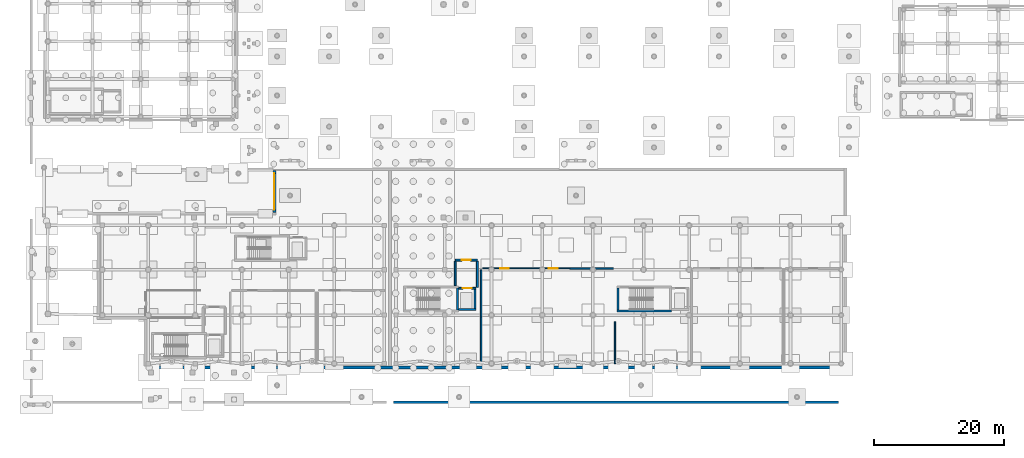
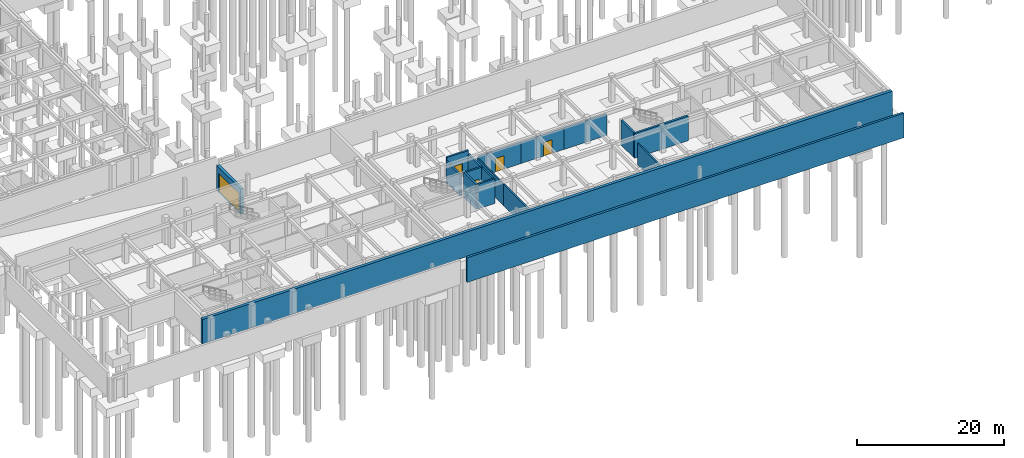
# One storey, part 16 of 22: 18 walls, 5 doors, 5 openings.
"""IFC4 building model written with IfcOpenShell, lengths in metres."""

from ifc_helpers import new_model, si_unit, direction, frame, frame_2d, origin, place, context, subcontext, project, spatial, rectangle, extrude, material, layer, layer_set, type_object, element, fill, save


model = new_model("IFC4")

# Units and contexts
model_context = context("Model", 3, precision=1e-05, world=origin(), true_north=direction((0.0, 1.0)))
body_context = subcontext(model_context, "Body", "Model", "MODEL_VIEW")
ifc_project = project(units=[si_unit("LENGTHUNIT", "METRE"), si_unit("AREAUNIT", "SQUARE_METRE"), si_unit("VOLUMEUNIT", "CUBIC_METRE"), si_unit("PLANEANGLEUNIT", "RADIAN"), si_unit("MASSUNIT", "GRAM", prefix="KILO")], contexts=[model_context])

# Site, building, storey
site_placement = place(None, origin())
site = spatial("IfcSite", under=ifc_project, at=site_placement, CompositionType="ELEMENT")
building_placement = place(site_placement, origin())
building = spatial("IfcBuilding", under=site, at=building_placement, Name="Valcora Specialist Clinic", CompositionType="ELEMENT")
storey_placement = place(building_placement, frame((0.0, 0.0, -4.419921875)))
storey = spatial("IfcBuildingStorey", under=building, at=storey_placement, Name="B1", CompositionType="ELEMENT", Elevation=-4.419921875)

# Wall, opening, door
ifc_material_1 = material(Name="Concrete C40/50", Category="concrete")
ifc_layer_1 = layer(ifc_material_1, 0.284912109375)
ifc_layer_set_1 = layer_set([ifc_layer_1], Name="Concrete C40/50")
wall_type_1 = type_object("IfcWallType", Name="TY-WL-CR285", PredefinedType="SHEAR", material=ifc_layer_set_1)
wall_1_placement = place(storey_placement, frame((63.419921875, 16.659912109375, 0.0), z_axis=(0.0, 0.0, 1.0), x_axis=(1.0, 0.0, 0.0)))
wall_1 = element("IfcWall", 1, at=wall_1_placement, inside=storey, type_object=wall_type_1, Name="Firefighting lobby front wall WL-FFL-LF-07-B1-F", PredefinedType="SHEAR", context=body_context, shape_type="SweptSolid", body=[
    extrude(rectangle(XDim=3.400146484375, YDim=0.284912109375, at=frame_2d((1.7001953125, 0.0))), origin(), (0.0, 0.0, 1.0), 4.08984375),
])
opening_1_placement = place(wall_1_placement, frame((1.0, 0.0, 0.0)))
opening_1 = element("IfcOpeningElement", 2, at=opening_1_placement, cuts=wall_1, Name="Opening DR-FF-140", PredefinedType="OPENING", context=body_context, shape_type="SweptSolid", body=[
    extrude(rectangle(XDim=1.39990234375, YDim=2.25, at=frame_2d((0.699951171875, 1.125))), frame((0.0, 0.15234375, 0.0), z_axis=(0.0, -1.0, 0.0), x_axis=(1.0, 0.0, 0.0)), (0.0, 0.0, 1.0), 0.304931640625),
])
ifc_material_2 = material(Name="Galvanized Hollow Metal Door Steel ASTM A653", Category="steel")
door_type_1 = type_object("IfcDoorType", Name="TY-DR-FF140", OperationType="NOTDEFINED", PredefinedType="DOOR", material=ifc_material_2)
door_1_placement = place(opening_1_placement, origin())
door_1 = element("IfcDoor", 3, at=door_1_placement, inside=storey, type_object=door_type_1, Name="Firefighting lobby fire door LF-07 B1", OperationType="SINGLE_SWING_RIGHT", OverallHeight=2.25, OverallWidth=1.39990234375, PredefinedType="DOOR", context=body_context, shape_type="SweptSolid", body=[
    extrude(rectangle(XDim=1.39990234375, YDim=2.25, at=frame_2d((0.699951171875, 1.125))), frame((0.0, 0.02490234375, 0.0), z_axis=(0.0, -1.0, 0.0), x_axis=(1.0, 0.0, 0.0)), (0.0, 0.0, 1.0), 0.050048828125),
])
fill(opening_1, door_1)

# Walls
wall_2_placement = place(storey_placement, frame((63.419921875, 12.739990234375, 0.0), z_axis=(0.0, 0.0, 1.0), x_axis=(0.0, 1.0, 0.0)))
element("IfcWall", 4, at=wall_2_placement, inside=storey, type_object=wall_type_1, Name="Firefighting lobby west wall", PredefinedType="SHEAR", context=body_context, shape_type="SweptSolid", body=[
    extrude(rectangle(XDim=3.77001953125, YDim=0.284912109375, at=frame_2d((1.885009765625, 0.0))), origin(), (0.0, 0.0, 1.0), 3.5400390625),
])
wall_3_placement = place(storey_placement, frame((66.820068359375, 12.47998046875, 0.0), z_axis=(0.0, 0.0, 1.0), x_axis=(0.0, 1.0, 0.0)))
element("IfcWall", 5, at=wall_3_placement, inside=storey, type_object=wall_type_1, Name="Firefighting lobby east wall", PredefinedType="SHEAR", context=body_context, shape_type="SweptSolid", body=[
    extrude(rectangle(XDim=4.030029296875, YDim=0.284912109375, at=frame_2d((2.01513671875, 0.0))), origin(), (0.0, 0.0, 1.0), 3.5400390625),
])
ifc_layer_2 = layer(ifc_material_1, 0.320068359375)
ifc_layer_set_2 = layer_set([ifc_layer_2], Name="Concrete C40/50")
wall_type_2 = type_object("IfcWallType", Name="TY-WL-CR320", PredefinedType="SHEAR", material=ifc_layer_set_2)
wall_4_placement = place(storey_placement, frame((63.760009765625, 9.001953125, 0.0), z_axis=(0.0, 0.0, 1.0), x_axis=(0.0, 1.0, 0.0)))
element("IfcWall", 6, at=wall_4_placement, inside=storey, type_object=wall_type_2, Name="Core shear wall WL-CR-C-V6A-B1-E", PredefinedType="SHEAR", context=body_context, shape_type="SweptSolid", body=[
    extrude(rectangle(XDim=3.39599609375, YDim=0.320068359375, at=frame_2d((1.697998046875, 0.0))), origin(), (0.0, 0.0, 1.0), 4.08984375),
])
wall_5_placement = place(storey_placement, frame((88.280029296875, 8.840087890625, 0.0), z_axis=(0.0, 0.0, 1.0), x_axis=(1.0, 0.0, 0.0)))
element("IfcWall", 7, at=wall_5_placement, inside=storey, type_object=wall_type_2, Name="Core shear wall WL-CR-C-V6B-B1-S", PredefinedType="SHEAR", context=body_context, shape_type="SweptSolid", body=[
    extrude(rectangle(XDim=8.43994140625, YDim=0.320068359375, at=frame_2d((4.219970703125, 0.0))), origin(), (0.0, 0.0, 1.0), 4.08984375),
])
wall_6_placement = place(storey_placement, frame((88.43994140625, 9.001953125, 0.0), z_axis=(0.0, 0.0, 1.0), x_axis=(0.0, 1.0, 0.0)))
element("IfcWall", 8, at=wall_6_placement, inside=storey, type_object=wall_type_2, Name="Core shear wall WL-CR-C-V6B-B1-W", PredefinedType="SHEAR", context=body_context, shape_type="SweptSolid", body=[
    extrude(rectangle(XDim=3.39599609375, YDim=0.320068359375, at=frame_2d((1.697998046875, 0.0))), origin(), (0.0, 0.0, 1.0), 4.08984375),
])
ifc_material_3 = material(Name="Extruded Jalisco Clay Brick Masonry", Category="masonry")
ifc_layer_3 = layer(ifc_material_3, 0.35498046875)
ifc_layer_set_3 = layer_set([ifc_layer_3], Name="Extruded Jalisco Clay Brick Masonry")
wall_type_3 = type_object("IfcWallType", Name="TY-WL-EW355", PredefinedType="SOLIDWALL", material=ifc_layer_set_3)
wall_7_placement = place(storey_placement, frame((53.919921875, -5.199951171875, 0.0), z_axis=(0.0, 0.0, 1.0), x_axis=(1.0, 0.0, 0.0)))
element("IfcWall", 9, at=wall_7_placement, inside=storey, type_object=wall_type_3, Name="Sub-grade brick plinth wall 29", PredefinedType="SOLIDWALL", context=body_context, shape_type="SweptSolid", body=[
    extrude(rectangle(XDim=68.4599609375, YDim=0.35498046875, at=frame_2d((34.22998046875, 0.0))), origin(), (0.0, 0.0, 1.0), 4.079833984375),
])

# Wall, opening, door
ifc_material_4 = material(Name="Gypsum Board Partition Assembly")
ifc_layer_4 = layer(ifc_material_4, 0.155029296875)
ifc_layer_set_4 = layer_set([ifc_layer_4], Name="Gypsum Board Partition Assembly")
wall_type_4 = type_object("IfcWallType", Name="TY-WL-PT155", PredefinedType="PARTITIONING", material=ifc_layer_set_4)
wall_8_placement = place(storey_placement, frame((74.35009765625, 15.39990234375, 0.0), z_axis=(0.0, 0.0, 1.0), x_axis=(1.0, 0.0, 0.0)))
wall_8 = element("IfcWall", 10, at=wall_8_placement, inside=storey, type_object=wall_type_4, Name="Interior partition WL-INT-B1-0015", PredefinedType="PARTITIONING", context=body_context, shape_type="SweptSolid", body=[
    extrude(rectangle(XDim=6.699951171875, YDim=0.155029296875, at=frame_2d((3.35009765625, 0.0))), origin(), (0.0, 0.0, 1.0), 3.5400390625),
])
opening_2_placement = place(wall_8_placement, frame((3.470947265625, 0.0, 0.0)))
opening_2 = element("IfcOpeningElement", 11, at=opening_2_placement, cuts=wall_8, Name="Opening DR-PL-136", PredefinedType="OPENING", context=body_context, shape_type="SweptSolid", body=[
    extrude(rectangle(XDim=1.360107421875, YDim=2.25, at=frame_2d((0.68017578125, 1.125))), frame((0.0, 0.08740234375, 0.0), z_axis=(0.0, -1.0, 0.0), x_axis=(1.0, 0.0, 0.0)), (0.0, 0.0, 1.0), 0.175048828125),
])
door_type_2 = type_object("IfcDoorType", Name="TY-DR-PL136", OperationType="NOTDEFINED", PredefinedType="DOOR", material=ifc_material_2)
door_2_placement = place(opening_2_placement, origin())
door_2 = element("IfcDoor", 12, at=door_2_placement, inside=storey, type_object=door_type_2, Name="Interior door DR-INT-B1-0005", OperationType="SINGLE_SWING_LEFT", OverallHeight=2.25, OverallWidth=1.360107421875, PredefinedType="DOOR", context=body_context, shape_type="SweptSolid", body=[
    extrude(rectangle(XDim=1.360107421875, YDim=2.25, at=frame_2d((0.68017578125, 1.125))), frame((0.0, 0.02490234375, 0.0), z_axis=(0.0, -1.0, 0.0), x_axis=(1.0, 0.0, 0.0)), (0.0, 0.0, 1.0), 0.050048828125),
])
fill(opening_2, door_2)

ifc_layer_5 = layer(ifc_material_4, 0.1650390625)
ifc_layer_set_5 = layer_set([ifc_layer_5], Name="Gypsum Board Partition Assembly")
wall_type_5 = type_object("IfcWallType", Name="TY-WL-PT165", PredefinedType="PARTITIONING", material=ifc_layer_set_5)
wall_9_placement = place(storey_placement, frame((67.64990234375, 15.39990234375, 0.0), z_axis=(0.0, 0.0, 1.0), x_axis=(1.0, 0.0, 0.0)))
wall_9 = element("IfcWall", 13, at=wall_9_placement, inside=storey, type_object=wall_type_5, Name="Interior partition WL-INT-B1-0014", PredefinedType="PARTITIONING", context=body_context, shape_type="SweptSolid", body=[
    extrude(rectangle(XDim=6.7001953125, YDim=0.1650390625, at=frame_2d((3.35009765625, 0.0))), origin(), (0.0, 0.0, 1.0), 3.5400390625),
])
opening_3_placement = place(wall_9_placement, frame((2.669921875, 0.0, 0.0)))
opening_3 = element("IfcOpeningElement", 14, at=opening_3_placement, cuts=wall_9, Name="Opening DR-PL-136", PredefinedType="OPENING", context=body_context, shape_type="SweptSolid", body=[
    extrude(rectangle(XDim=1.360107421875, YDim=2.25, at=frame_2d((0.68017578125, 1.125))), frame((0.0, 0.092529296875, 0.0), z_axis=(0.0, -1.0, 0.0), x_axis=(1.0, 0.0, 0.0)), (0.0, 0.0, 1.0), 0.18505859375),
])
door_3_placement = place(opening_3_placement, origin())
door_3 = element("IfcDoor", 15, at=door_3_placement, inside=storey, type_object=door_type_2, Name="Interior door DR-INT-B1-0004", OperationType="SINGLE_SWING_RIGHT", OverallHeight=2.25, OverallWidth=1.360107421875, PredefinedType="DOOR", context=body_context, shape_type="SweptSolid", body=[
    extrude(rectangle(XDim=1.360107421875, YDim=2.25, at=frame_2d((0.68017578125, 1.125))), frame((0.0, 0.02490234375, 0.0), z_axis=(0.0, -1.0, 0.0), x_axis=(1.0, 0.0, 0.0)), (0.0, 0.0, 1.0), 0.050048828125),
])
fill(opening_3, door_3)

# Walls
ifc_layer_6 = layer(ifc_material_4, 0.195068359375)
ifc_layer_set_6 = layer_set([ifc_layer_6], Name="Gypsum Board Partition Assembly")
wall_type_6 = type_object("IfcWallType", Name="TY-WL-PT195", PredefinedType="PARTITIONING", material=ifc_layer_set_6)
wall_10_placement = place(storey_placement, frame((67.39990234375, 7.949951171875, 0.0), z_axis=(0.0, 0.0, 1.0), x_axis=(0.0, 1.0, 0.0)))
element("IfcWall", 16, at=wall_10_placement, inside=storey, type_object=wall_type_6, Name="Interior partition WL-INT-B1-0019", PredefinedType="PARTITIONING", context=body_context, shape_type="SweptSolid", body=[
    extrude(rectangle(XDim=7.199951171875, YDim=0.195068359375, at=frame_2d((3.60009765625, 0.0))), origin(), (0.0, 0.0, 1.0), 3.5400390625),
])
ifc_material_5 = material(Name="Lead-Lined Gypsum Partition Assembly")
ifc_layer_7 = layer(ifc_material_5, 0.205078125)
ifc_layer_set_7 = layer_set([ifc_layer_7], Name="Lead-Lined Gypsum Partition Assembly")
wall_type_7 = type_object("IfcWallType", Name="TY-WL-PT205", PredefinedType="PARTITIONING", material=ifc_layer_set_7)
wall_11_placement = place(storey_placement, frame((67.39990234375, 0.75, 0.0), z_axis=(0.0, 0.0, 1.0), x_axis=(0.0, 1.0, 0.0)))
element("IfcWall", 17, at=wall_11_placement, inside=storey, type_object=wall_type_7, Name="Interior partition WL-INT-B1-0018", PredefinedType="PARTITIONING", context=body_context, shape_type="SweptSolid", body=[
    extrude(rectangle(XDim=7.199951171875, YDim=0.205078125, at=frame_2d((3.60009765625, 0.0))), origin(), (0.0, 0.0, 1.0), 3.5400390625),
])
ifc_layer_8 = layer(ifc_material_5, 0.215087890625)
ifc_layer_set_8 = layer_set([ifc_layer_8], Name="Lead-Lined Gypsum Partition Assembly")
wall_type_8 = type_object("IfcWallType", Name="TY-WL-PT215", PredefinedType="PARTITIONING", material=ifc_layer_set_8)
wall_12_placement = place(storey_placement, frame((88.0, 7.199951171875, 0.0), z_axis=(0.0, 0.0, 1.0), x_axis=(0.0, -1.0, 0.0)))
element("IfcWall", 18, at=wall_12_placement, inside=storey, type_object=wall_type_8, Name="Interior partition WL-INT-B1-0017", PredefinedType="PARTITIONING", context=body_context, shape_type="SweptSolid", body=[
    extrude(rectangle(XDim=6.449951171875, YDim=0.215087890625, at=frame_2d((3.22509765625, 0.0))), origin(), (0.0, 0.0, 1.0), 3.5400390625),
])
ifc_layer_9 = layer(ifc_material_5, 0.22998046875)
ifc_layer_set_9 = layer_set([ifc_layer_9], Name="Lead-Lined Gypsum Partition Assembly")
wall_type_9 = type_object("IfcWallType", Name="TY-WL-PT230", PredefinedType="PARTITIONING", material=ifc_layer_set_9)
wall_13_placement = place(storey_placement, frame((81.050048828125, 15.39990234375, 0.0), z_axis=(0.0, 0.0, 1.0), x_axis=(1.0, 0.0, 0.0)))
element("IfcWall", 19, at=wall_13_placement, inside=storey, type_object=wall_type_9, Name="Interior partition WL-INT-B1-0016", PredefinedType="PARTITIONING", context=body_context, shape_type="SweptSolid", body=[
    extrude(rectangle(XDim=6.699951171875, YDim=0.22998046875, at=frame_2d((3.35009765625, 0.0))), origin(), (0.0, 0.0, 1.0), 3.5400390625),
])
ifc_layer_10 = layer(ifc_material_1, 0.4599609375)
ifc_layer_set_10 = layer_set([ifc_layer_10], Name="Concrete C40/50")
wall_type_10 = type_object("IfcWallType", Name="TY-WL-RET460", PredefinedType="SHEAR", material=ifc_layer_set_10)
wall_14_placement = place(storey_placement, frame((15.52001953125, 0.14990234375, 0.0), z_axis=(0.0, 0.0, 1.0), x_axis=(1.0, 0.0, 0.0)))
element("IfcWall", 20, at=wall_14_placement, inside=storey, type_object=wall_type_10, Name="Exterior wall WL-EXT-B1-0001", PredefinedType="SHEAR", context=body_context, shape_type="SweptSolid", body=[
    extrude(rectangle(XDim=108.14501953125, YDim=0.4599609375, at=frame_2d((54.072509765625, 0.0))), origin(), (0.0, 0.0, 1.0), 4.08984375),
])

# Wall, opening, door
wall_15_placement = place(storey_placement, frame((35.580078125, 24.0, 0.0), z_axis=(0.0, 0.0, 1.0), x_axis=(0.0, 1.0, 0.0)))
wall_15 = element("IfcWall", 21, at=wall_15_placement, inside=storey, type_object=wall_type_10, Name="Exterior wall WL-EXT-B1-0008", PredefinedType="SHEAR", context=body_context, shape_type="SweptSolid", body=[
    extrude(rectangle(XDim=6.43505859375, YDim=0.4599609375, at=frame_2d((3.217529296875, 0.0))), origin(), (0.0, 0.0, 1.0), 4.199951171875),
])
opening_4_placement = place(wall_15_placement, frame((0.409912109375, 0.0, 0.0)))
opening_4 = element("IfcOpeningElement", 22, at=opening_4_placement, cuts=wall_15, Name="Opening VG-01", PredefinedType="OPENING", context=body_context, shape_type="SweptSolid", body=[
    extrude(rectangle(XDim=5.60009765625, YDim=3.199951171875, at=frame_2d((2.800048828125, 1.60009765625))), frame((0.0, 0.239990234375, 0.0), z_axis=(0.0, -1.0, 0.0), x_axis=(1.0, 0.0, 0.0)), (0.0, 0.0, 1.0), 0.47998046875),
])
door_type_3 = type_object("IfcDoorType", Name="TY-GT-VG560", OperationType="NOTDEFINED", PredefinedType="GATE", material=ifc_material_2)
door_4_placement = place(opening_4_placement, origin())
door_4 = element("IfcDoor", 23, at=door_4_placement, inside=storey, type_object=door_type_3, Name="Basement vehicular security gate VG-01", OperationType="ROLLINGUP", OverallHeight=3.199951171875, OverallWidth=5.60009765625, PredefinedType="GATE", context=body_context, shape_type="SweptSolid", body=[
    extrude(rectangle(XDim=5.60009765625, YDim=3.199951171875, at=frame_2d((2.800048828125, 1.60009765625))), frame((0.0, 0.02490234375, 0.0), z_axis=(0.0, -1.0, 0.0), x_axis=(1.0, 0.0, 0.0)), (0.0, 0.0, 1.0), 0.050048828125),
])
fill(opening_4, door_4)

# Wall
ifc_layer_11 = layer(ifc_material_1, 0.260009765625)
ifc_layer_set_11 = layer_set([ifc_layer_11], Name="Concrete C40/50")
wall_type_11 = type_object("IfcWallType", Name="TY-WL-SH260", PredefinedType="SHEAR", material=ifc_layer_set_11)
wall_16_placement = place(storey_placement, frame((63.922119140625, 9.070068359375, 0.0), z_axis=(0.0, 0.0, 1.0), x_axis=(1.0, 0.0, 0.0)))
element("IfcWall", 24, at=wall_16_placement, inside=storey, type_object=wall_type_11, Name="Lift shaft wall WL-LF-LF-07-B1-LS", PredefinedType="SHEAR", context=body_context, shape_type="SweptSolid", body=[
    extrude(rectangle(XDim=2.657958984375, YDim=0.260009765625, at=frame_2d((1.3291015625, 0.0))), origin(), (0.0, 0.0, 1.0), 4.08984375),
])

# Wall, opening, door
wall_17_placement = place(storey_placement, frame((63.922119140625, 12.330078125, 0.0), z_axis=(0.0, 0.0, 1.0), x_axis=(1.0, 0.0, 0.0)))
wall_17 = element("IfcWall", 25, at=wall_17_placement, inside=storey, type_object=wall_type_11, Name="Lift shaft wall WL-LF-LF-07-B1-LN", PredefinedType="SHEAR", context=body_context, shape_type="SweptSolid", body=[
    extrude(rectangle(XDim=2.657958984375, YDim=0.260009765625, at=frame_2d((1.3291015625, 0.0))), origin(), (0.0, 0.0, 1.0), 4.08984375),
])
opening_5_placement = place(wall_17_placement, frame((0.618896484375, 0.0, 0.0)))
opening_5 = element("IfcOpeningElement", 26, at=opening_5_placement, cuts=wall_17, Name="Opening LD-142", PredefinedType="OPENING", context=body_context, shape_type="SweptSolid", body=[
    extrude(rectangle(XDim=1.419921875, YDim=2.25, at=frame_2d((0.7099609375, 1.125))), frame((0.0, 0.139892578125, 0.0), z_axis=(0.0, -1.0, 0.0), x_axis=(1.0, 0.0, 0.0)), (0.0, 0.0, 1.0), 0.280029296875),
])
ifc_material_6 = material(Name="Stainless Steel AISI 316", Category="steel")
door_type_4 = type_object("IfcDoorType", Name="TY-LD-142", OperationType="NOTDEFINED", PredefinedType="DOOR", material=ifc_material_6)
door_5_placement = place(opening_5_placement, origin())
door_5 = element("IfcDoor", 27, at=door_5_placement, inside=storey, type_object=door_type_4, Name="Lift landing sliding door LF-07 B1", OperationType="SLIDING_TO_LEFT", OverallHeight=2.25, OverallWidth=1.419921875, PredefinedType="DOOR", context=body_context, shape_type="SweptSolid", body=[
    extrude(rectangle(XDim=1.419921875, YDim=2.25, at=frame_2d((0.7099609375, 1.125))), frame((0.0, 0.02490234375, 0.0), z_axis=(0.0, -1.0, 0.0), x_axis=(1.0, 0.0, 0.0)), (0.0, 0.0, 1.0), 0.050048828125),
])
fill(opening_5, door_5)

# Wall
wall_18_placement = place(storey_placement, frame((66.449951171875, 9.201904296875, 0.0), z_axis=(0.0, 0.0, 1.0), x_axis=(0.0, 1.0, 0.0)))
element("IfcWall", 28, at=wall_18_placement, inside=storey, type_object=wall_type_11, Name="Lift shaft wall WL-LF-LF-07-B1-LE", PredefinedType="SHEAR", context=body_context, shape_type="SweptSolid", body=[
    extrude(rectangle(XDim=2.99609375, YDim=0.260009765625, at=frame_2d((1.498046875, 0.0))), origin(), (0.0, 0.0, 1.0), 4.08984375),
])

save(model, "model.ifc")
